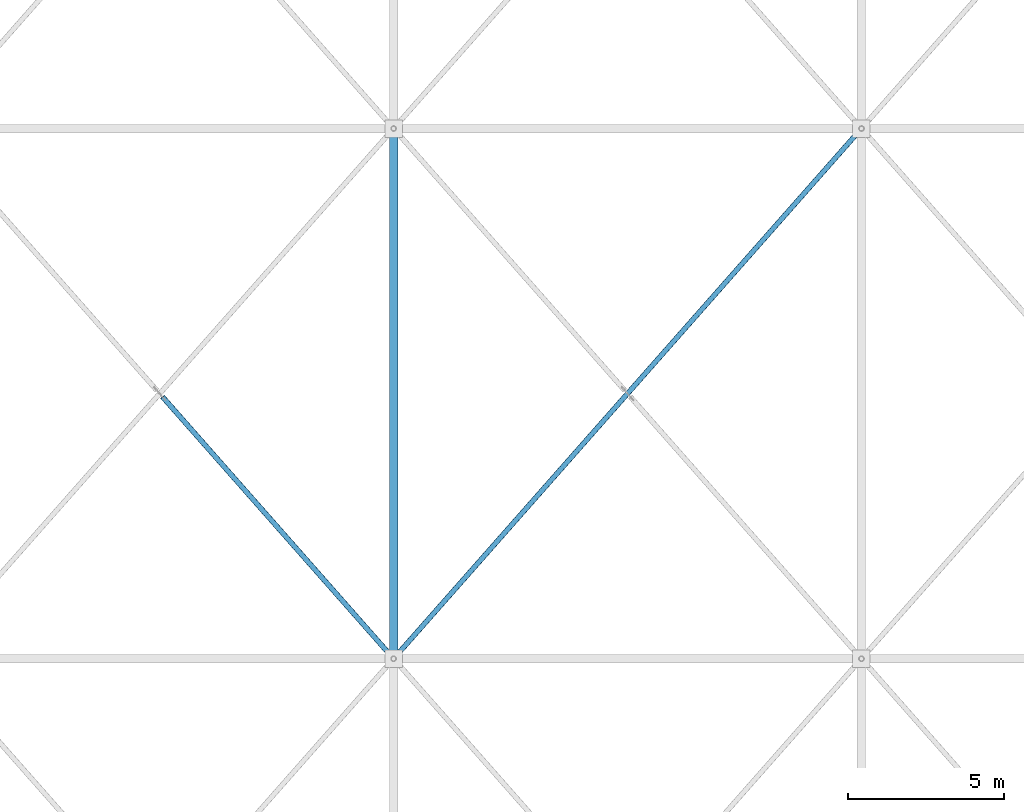
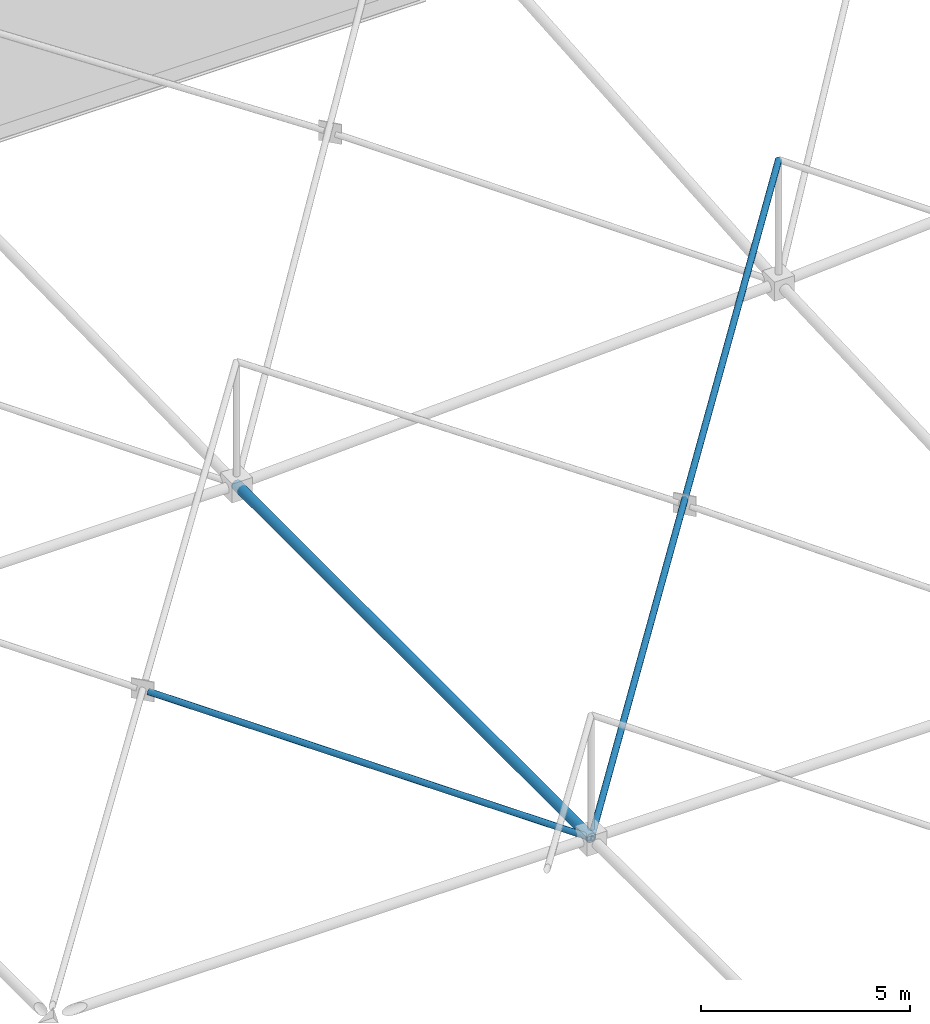
# One storey, part 104 of 224: 3 members.
"""IFC4 building model written with IfcOpenShell, lengths in metres."""

from ifc_helpers import new_model, si_unit, direction, frame, origin, origin_2d, place, context, subcontext, project, spatial, hollow_circle, extrude, material, material_profile, profile_set, type_object, element, save


model = new_model("IFC4")

# Units and contexts
model_context = context("Model", 3, precision=1e-05, world=origin(), true_north=direction((0.0, 1.0)))
body_context = subcontext(model_context, "Body", "Model", "MODEL_VIEW")
ifc_project = project(units=[si_unit("LENGTHUNIT", "METRE"), si_unit("AREAUNIT", "SQUARE_METRE"), si_unit("VOLUMEUNIT", "CUBIC_METRE"), si_unit("PLANEANGLEUNIT", "RADIAN"), si_unit("MASSUNIT", "GRAM", prefix="KILO")], contexts=[model_context])

# Site, building, storey
site_placement = place(None, origin())
site = spatial("IfcSite", under=ifc_project, at=site_placement, CompositionType="ELEMENT")
building_placement = place(site_placement, origin())
building = spatial("IfcBuilding", under=site, at=building_placement, Name="Qamarlyn Nura Convention Centre", CompositionType="ELEMENT")
storey_placement = place(building_placement, frame((0.0, 0.0, 10.800048828125)))
storey = spatial("IfcBuildingStorey", under=building, at=storey_placement, Name="L02", CompositionType="ELEMENT", Elevation=10.800048828125)

# Members
ifc_material = material(Name="Pearl-white PVDF steel ASTM A500 Grade C", Category="steel")
ifc_material_profile_1 = material_profile(ifc_material, hollow_circle(Radius=0.136474609375, WallThickness=0.012451171875, at=origin_2d()), Name="CHS273X12.5")
ifc_profile_set_1 = profile_set([ifc_material_profile_1], Name="Pearl-white PVDF steel ASTM A500 Grade C")
member_type_1 = type_object("IfcMemberType", Name="SF-BC-MAIN", PredefinedType="CHORD", material=ifc_profile_set_1)
member_1_placement = place(storey_placement, frame((90.0, 69.0, 0.800048828125), z_axis=(0.0, 0.999998564129, 0.001694620729), x_axis=(-1.0, 0.0, 0.0)))
element("IfcMember", 1, at=member_1_placement, inside=storey, type_object=member_type_1, Name="ROOF TRUSS space frame bottom chord Y8-5", PredefinedType="CHORD", context=body_context, shape_type="SweptSolid", body=[
    extrude(hollow_circle(Radius=0.136474609375, WallThickness=0.012451171875, at=origin_2d()), origin(), (0.0, 0.0, 1.0), 17.0),
])
ifc_material_profile_2 = material_profile(ifc_material, hollow_circle(Radius=0.084228515625, WallThickness=0.008056640625, at=origin_2d()), Name="CHS168.3X8")
ifc_profile_set_2 = profile_set([ifc_material_profile_2], Name="Pearl-white PVDF steel ASTM A500 Grade C")
member_type_2 = type_object("IfcMemberType", Name="SF-WEB-STD", PredefinedType="BRACE", material=ifc_profile_set_2)
member_2_placement = place(storey_placement, frame((90.0, 69.0, 0.800048828125), z_axis=(-0.653370508088, 0.740486575834, 0.15743763899), x_axis=(-0.749837855365, -0.661621637087, 0.0)))
element("IfcMember", 2, at=member_2_placement, inside=storey, type_object=member_type_2, Name="ROOF TRUSS space frame split diagonal B1 7-5", PredefinedType="BRACE", context=body_context, shape_type="SweptSolid", body=[
    extrude(hollow_circle(Radius=0.084228515625, WallThickness=0.008056640625, at=origin_2d()), origin(), (0.0, 0.0, 1.0), 11.3388671875),
])
member_3_placement = place(storey_placement, frame((90.0, 69.0, 0.800048828125), z_axis=(0.650135247998, 0.736819947731, 0.185527690481), x_axis=(-0.749837855365, 0.661621637087, 0.0)))
element("IfcMember", 3, at=member_3_placement, inside=storey, type_object=member_type_2, Name="ROOF TRUSS space frame diagonal A 8-5", PredefinedType="BRACE", context=body_context, shape_type="SweptSolid", body=[
    extrude(hollow_circle(Radius=0.084228515625, WallThickness=0.008056640625, at=origin_2d()), origin(), (0.0, 0.0, 1.0), 23.072021484375),
])

save(model, "model.ifc")
